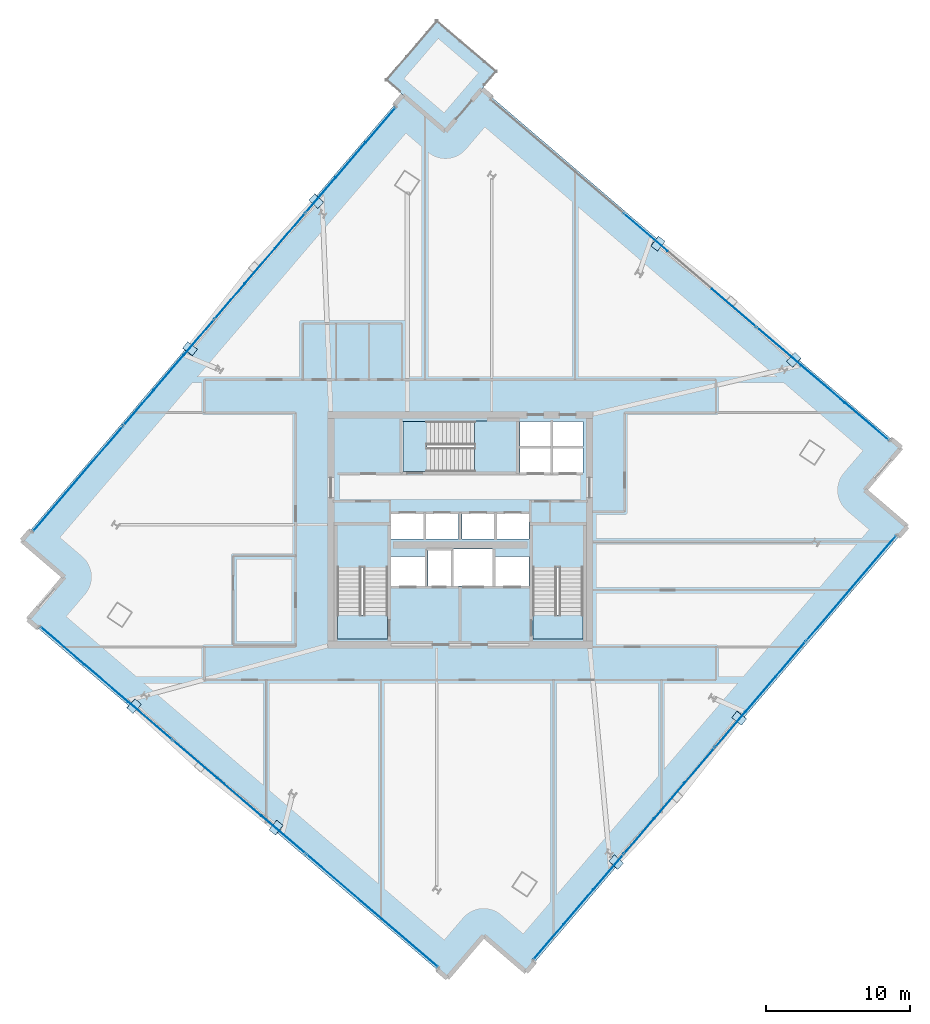
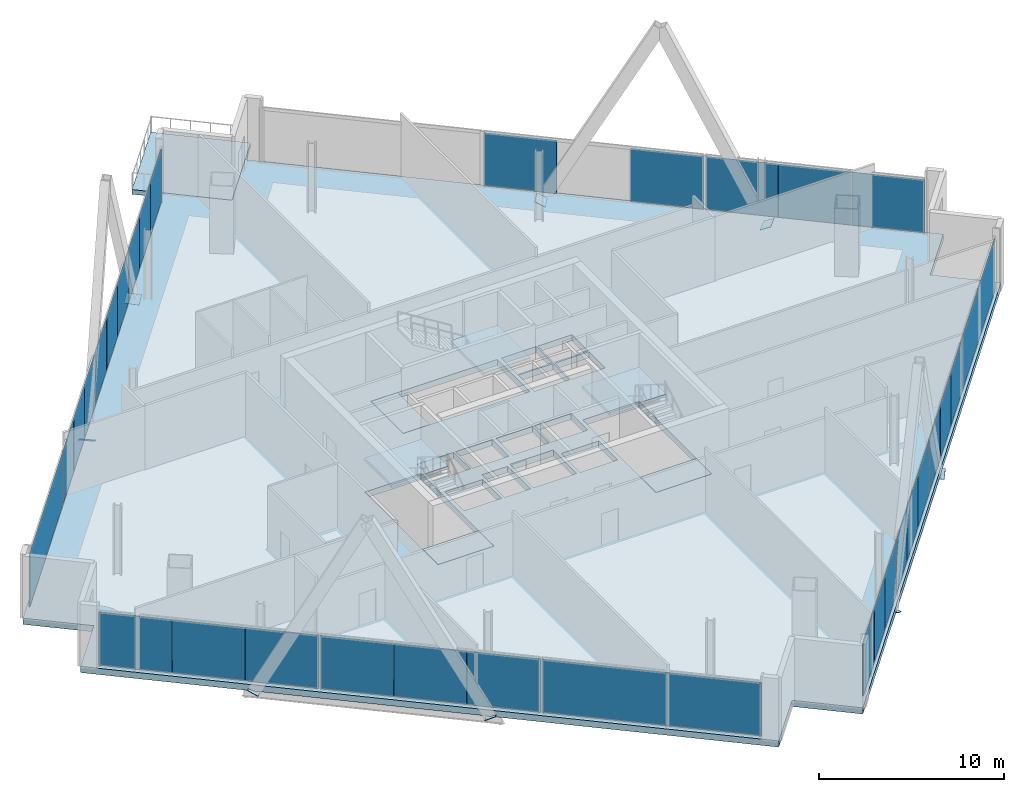
# One storey, part 17 of 26: 40 plates, 8 slabs, 7 elements without a shape of their own.
"""IFC4 building model written with IfcOpenShell, lengths in metres."""

import ifcopenshell
import ifcopenshell.guid

model = None  # the IFC model being written
_history = None  # IfcOwnerHistory: only IFC2X3 demands one
_inside = {}  # id of a spatial element -> (the spatial element, [elements in it])
_under = {}  # id of a project, library or spatial element -> (it, [spatial elements below it])
_declared = {}  # id of a project -> (the project, [libraries it declares])
_typed = {}  # id of a type object -> (the type object, [elements of that type])
_made_of = {}  # id of a material, layer set ... -> (it, [elements and type objects made of it])


def new_model(schema):
    """Start an empty IFC model of exactly this schema.

    Asked for "IFC4X3", IfcOpenShell would pick the latest addendum, in which some entities
    have other attributes; the version numbers below select the first issue.
    IFC2X3 requires an IfcOwnerHistory on every rooted entity: one is made here for all.
    """
    global model, _history
    if schema == "IFC4X3":
        model = ifcopenshell.file(schema_version=(4, 3, 0, 0))
    else:
        model = ifcopenshell.file(schema=schema)
    _inside.clear()
    _under.clear()
    _declared.clear()
    _typed.clear()
    _made_of.clear()
    _history = None
    if model.schema == "IFC2X3":
        org = make("IfcOrganization", Name="unknown")
        user = make(
            "IfcPersonAndOrganization",
            ThePerson=make("IfcPerson", FamilyName="unknown"),
            TheOrganization=org,
        )
        app = make(
            "IfcApplication",
            ApplicationDeveloper=org,
            Version="unknown",
            ApplicationFullName="unknown",
            ApplicationIdentifier="unknown",
        )
        _history = make(
            "IfcOwnerHistory",
            OwningUser=user,
            OwningApplication=app,
            ChangeAction="ADDED",
            CreationDate=0,
        )
    return model


def make(cls, **values):
    """One entity of the class cls with the attributes given. An attribute that is None is left unset."""
    return model.create_entity(
        cls, **{name: value for name, value in values.items() if value is not None}
    )


def rooted(cls, **values):
    """An entity with a GlobalId (a new one), such as an element, a storey or a relation."""
    return make(cls, GlobalId=ifcopenshell.guid.new(), OwnerHistory=_history, **values)


def si_unit(unit_type, name, prefix=None):
    """IfcSIUnit, for example si_unit("LENGTHUNIT", "METRE", prefix="MILLI")."""
    return make("IfcSIUnit", UnitType=unit_type, Prefix=prefix, Name=name)


def assignment(units):
    """IfcUnitAssignment: the units of a project."""
    return None if units is None else make("IfcUnitAssignment", Units=units)


def point(xyz):
    """IfcCartesianPoint."""
    return None if xyz is None else make("IfcCartesianPoint", Coordinates=xyz)


def direction(xyz):
    """IfcDirection."""
    return None if xyz is None else make("IfcDirection", DirectionRatios=xyz)


def frame(location, z_axis=None, x_axis=None):
    """IfcAxis2Placement3D, a coordinate frame: its origin and axes. An axis left out is left unset."""
    return make(
        "IfcAxis2Placement3D",
        Location=point(location),
        Axis=direction(z_axis),
        RefDirection=direction(x_axis),
    )


def frame_2d(location, x_axis=None):
    """IfcAxis2Placement2D, a coordinate frame in the plane: its origin and x axis."""
    return make(
        "IfcAxis2Placement2D", Location=point(location), RefDirection=direction(x_axis)
    )


def origin():
    """The frame at (0, 0, 0) with its axes left unset."""
    return frame((0.0, 0.0, 0.0))


def origin_2d():
    """The frame at (0, 0) in the plane with its x axis left unset."""
    return frame_2d((0.0, 0.0))


def place(relative_to, where):
    """IfcLocalPlacement: puts the frame where relative to a parent placement (None: the world)."""
    return make(
        "IfcLocalPlacement", PlacementRelTo=relative_to, RelativePlacement=where
    )


def context(
    kind, dimensions, precision=None, world=None, true_north=None, identifier=None
):
    """IfcGeometricRepresentationContext, for example the 3D "Model" context."""
    return make(
        "IfcGeometricRepresentationContext",
        ContextIdentifier=identifier,
        ContextType=kind,
        CoordinateSpaceDimension=dimensions,
        Precision=precision,
        WorldCoordinateSystem=world,
        TrueNorth=true_north,
    )


def subcontext(parent, identifier, kind, view, scale=None):
    """IfcGeometricRepresentationSubContext, for example "Body" below "Model"."""
    return make(
        "IfcGeometricRepresentationSubContext",
        ContextIdentifier=identifier,
        ContextType=kind,
        ParentContext=parent,
        TargetScale=scale,
        TargetView=view,
    )


def project(units=None, contexts=None):
    """IfcProject with its units and contexts."""
    return rooted(
        "IfcProject",
        Name="project",
        RepresentationContexts=contexts,
        UnitsInContext=assignment(units),
    )


def spatial(cls, under=None, at=None, **own):
    """A site, building, storey or space (cls), placed at a placement, below another one or the project."""
    s = rooted(cls, ObjectPlacement=at, **own)
    if under is not None:
        _under.setdefault(under.id(), (under, []))[1].append(s)
    return s


def polyline(points):
    """IfcPolyline through the points."""
    return make("IfcPolyline", Points=[point(p) for p in points])


def profile(cls, at=None, kind="AREA", **sizes):
    """A parametric profile (cls). Its sizes go by their IFC names, for example OverallWidth=200.0."""
    return make(cls, ProfileType=kind, Position=at, **sizes)


def rectangle(**sizes):
    """IfcRectangleProfileDef."""
    return profile("IfcRectangleProfileDef", **sizes)


def outline(outer, holes=None, kind="AREA"):
    """IfcArbitraryClosedProfileDef: a profile drawn as a closed curve; with holes, ...WithVoids."""
    if holes is None:
        return make("IfcArbitraryClosedProfileDef", ProfileType=kind, OuterCurve=outer)
    return make(
        "IfcArbitraryProfileDefWithVoids",
        ProfileType=kind,
        OuterCurve=outer,
        InnerCurves=holes,
    )


def extrude(swept, where, along, depth):
    """IfcExtrudedAreaSolid: the profile swept, set in the frame where, extruded along a direction by depth."""
    return make(
        "IfcExtrudedAreaSolid",
        SweptArea=swept,
        Position=where,
        ExtrudedDirection=direction(along),
        Depth=depth,
    )


def shape(context_of_items, identifier, shape_type, items):
    """IfcShapeRepresentation: the items that make up one representation, for example the "Body"."""
    return make(
        "IfcShapeRepresentation",
        ContextOfItems=context_of_items,
        RepresentationIdentifier=identifier,
        RepresentationType=shape_type,
        Items=items,
    )


def source(mapping_origin, context_of_items, identifier, shape_type, items):
    """IfcRepresentationMap: a shape defined once, which mapped items show again and again."""
    return make(
        "IfcRepresentationMap",
        MappingOrigin=mapping_origin,
        MappedRepresentation=shape(context_of_items, identifier, shape_type, items),
    )


def transform(
    local_origin,
    x_axis=None,
    y_axis=None,
    z_axis=None,
    scale=None,
    scale2=None,
    scale3=None,
    uniform=True,
):
    """IfcCartesianTransformationOperator3D, or its non-uniform kind. x_axis, y_axis, z_axis: its Axis1, 2, 3."""
    if uniform:
        return make(
            "IfcCartesianTransformationOperator3D",
            Axis1=direction(x_axis),
            Axis2=direction(y_axis),
            LocalOrigin=point(local_origin),
            Scale=scale,
            Axis3=direction(z_axis),
        )
    return make(
        "IfcCartesianTransformationOperator3DnonUniform",
        Axis1=direction(x_axis),
        Axis2=direction(y_axis),
        LocalOrigin=point(local_origin),
        Scale=scale,
        Axis3=direction(z_axis),
        Scale2=scale2,
        Scale3=scale3,
    )


def mapped(mapping_source, mapping_target):
    """IfcMappedItem: shows the shape of a source again, moved by a transform."""
    return make(
        "IfcMappedItem", MappingSource=mapping_source, MappingTarget=mapping_target
    )


def material(Name=None, Category=None):
    """IfcMaterial."""
    return make("IfcMaterial", Name=Name, Category=Category)


def layer(
    of_material, thickness, ventilated=None, Name=None, Category=None, Priority=None
):
    """IfcMaterialLayer: one layer of a wall or slab, of a material (None: an air gap)."""
    return make(
        "IfcMaterialLayer",
        Material=of_material,
        LayerThickness=thickness,
        IsVentilated=ventilated,
        Name=Name,
        Category=Category,
        Priority=Priority,
    )


def layer_set(layers, Name=None):
    """IfcMaterialLayerSet."""
    return make("IfcMaterialLayerSet", MaterialLayers=layers, LayerSetName=Name)


def made_of(thing, what):
    """Note that an element or type object is made of a material, layer set ...; save() writes the relation."""
    if what is not None:
        _made_of.setdefault(what.id(), (what, []))[1].append(thing)
    return thing


def type_object(cls, material=None, **own):
    """A type object (cls), such as IfcWallType, which elements share."""
    return made_of(rooted(cls, **own), material)


def element(
    cls,
    number,
    at=None,
    inside=None,
    cuts=None,
    type_object=None,
    material=None,
    context=None,
    identifier="Body",
    shape_type=None,
    held_by="IfcProductDefinitionShape",
    body=None,
    shapes=None,
    **own,
):
    """One element of the class cls, such as IfcWall. Its Tag is "e" and its number.

    at: its placement. inside: the storey or other place that contains it. cuts: it is an
    opening in that element (IfcRelVoidsElement). A single representation is given by context,
    identifier, shape_type and body (its items); several are given by shapes. held_by: the class
    of the entity that holds the representations. save() writes the other relations.
    """
    e = rooted(cls, Tag="e%d" % number, ObjectPlacement=at, **own)
    if body is not None:
        shapes = [shape(context, identifier, shape_type, body)]
    if shapes is not None:
        e.Representation = make(held_by, Representations=shapes)
    if inside is not None:
        _inside.setdefault(inside.id(), (inside, []))[1].append(e)
    if cuts is not None:
        rooted(
            "IfcRelVoidsElement", RelatingBuildingElement=cuts, RelatedOpeningElement=e
        )
    if type_object is not None:
        _typed.setdefault(type_object.id(), (type_object, []))[1].append(e)
    return made_of(e, material)


def aggregate(whole, parts):
    """IfcRelAggregates: a whole, such as a stair, and the parts it consists of."""
    return rooted("IfcRelAggregates", RelatingObject=whole, RelatedObjects=parts)


def save(model, path):
    """Write the relations noted so far, then the file.

    IfcRelAggregates (storeys below a building ...), IfcRelContainedInSpatialStructure (elements
    in a storey), IfcRelDefinesByType, IfcRelAssociatesMaterial and IfcRelDeclares: one each for
    every whole, place, type object, material and project.
    """
    for whole, parts in _under.values():
        aggregate(whole, parts)
    for where, things in _inside.values():
        rooted(
            "IfcRelContainedInSpatialStructure",
            RelatedElements=things,
            RelatingStructure=where,
        )
    for kind, things in _typed.values():
        rooted("IfcRelDefinesByType", RelatedObjects=things, RelatingType=kind)
    for what, things in _made_of.values():
        rooted("IfcRelAssociatesMaterial", RelatedObjects=things, RelatingMaterial=what)
    for by, libraries in _declared.values():
        rooted("IfcRelDeclares", RelatingContext=by, RelatedDefinitions=libraries)
    model.write(path)


model = new_model("IFC4")

# Units and contexts
model_context = context("Model", 3, precision=1e-05, world=origin(), true_north=direction((0.0, 1.0)))
body_context = subcontext(model_context, "Body", "Model", "MODEL_VIEW")
ifc_project = project(units=[si_unit("LENGTHUNIT", "METRE"), si_unit("AREAUNIT", "SQUARE_METRE"), si_unit("VOLUMEUNIT", "CUBIC_METRE"), si_unit("PLANEANGLEUNIT", "RADIAN"), si_unit("MASSUNIT", "GRAM", prefix="KILO")], contexts=[model_context])

# Site, building, storey
site_placement = place(None, origin())
site = spatial("IfcSite", under=ifc_project, at=site_placement, CompositionType="ELEMENT")
building_placement = place(site_placement, origin())
building = spatial("IfcBuilding", under=site, at=building_placement, Name="Haldenkirk Collegiate Tower", CompositionType="ELEMENT")
storey_placement = place(building_placement, frame((0.0, 0.0, 193.949951171875)))
storey = spatial("IfcBuildingStorey", under=building, at=storey_placement, Name="L48", CompositionType="ELEMENT", Elevation=193.949951171875)

# Slab
ifc_material_1 = material(Name="Concrete f'c 40 MPa", Category="concrete")
ifc_layer_1 = layer(ifc_material_1, 0.409912109375)
ifc_layer_set_1 = layer_set([ifc_layer_1], Name="Concrete f'c 40 MPa")
slab_type_1 = type_object("IfcSlabType", Name="SLB-FLR-410", PredefinedType="FLOOR", material=ifc_layer_set_1)
slab_1_placement = place(storey_placement, frame((0.0, 0.0, -0.409912109375)))
element("IfcSlab", 1, at=slab_1_placement, inside=storey, type_object=slab_type_1, Name="L48 composite structural floor slab", PredefinedType="FLOOR", context=body_context, shape_type="SweptSolid", body=[
    extrude(outline(polyline([(40.593994140625, -4.7783203125), (67.118408203125, 26.22314453125), (64.155029296875, 28.758544921875), (66.6904296875, 31.721923828125), (37.5126953125, 56.686279296875), (34.977294921875, 53.722900390625), (32.013916015625, 56.25830078125), (5.489501953125, 25.2568359375), (8.452880859375, 22.721435546875), (5.917236328125, 19.758056640625), (35.09521484375, -5.206298828125), (37.630615234375, -2.242919921875), (40.593994140625, -4.7783203125)]), holes=[polyline([(27.449951171875, 18.39990234375), (30.949951171875, 18.39990234375), (30.949951171875, 26.300048828125), (27.449951171875, 26.300048828125), (27.449951171875, 18.39990234375)]), polyline([(41.050048828125, 18.39990234375), (44.550048828125, 18.39990234375), (44.550048828125, 26.300048828125), (41.050048828125, 26.300048828125), (41.050048828125, 18.39990234375)]), polyline([(32.0, 30.050048828125), (39.89990234375, 30.050048828125), (39.89990234375, 33.550048828125), (32.0, 33.550048828125), (32.0, 30.050048828125)]), polyline([(33.75, 22.10009765625), (35.35009765625, 22.10009765625), (35.35009765625, 24.550048828125), (33.75, 24.550048828125), (33.75, 22.10009765625)]), polyline([(40.14990234375, 29.949951171875), (42.320068359375, 29.949951171875), (42.320068359375, 31.699951171875), (40.14990234375, 31.699951171875), (40.14990234375, 29.949951171875)]), polyline([(42.419921875, 29.949951171875), (44.550048828125, 29.949951171875), (44.550048828125, 31.699951171875), (42.419921875, 31.699951171875), (42.419921875, 29.949951171875)]), polyline([(40.14990234375, 31.800048828125), (42.320068359375, 31.800048828125), (42.320068359375, 33.550048828125), (40.14990234375, 33.550048828125), (40.14990234375, 31.800048828125)]), polyline([(42.419921875, 31.800048828125), (44.550048828125, 31.800048828125), (44.550048828125, 33.550048828125), (42.419921875, 33.550048828125), (42.419921875, 31.800048828125)]), polyline([(31.199951171875, 25.35009765625), (33.47998046875, 25.35009765625), (33.47998046875, 27.14990234375), (31.199951171875, 27.14990234375), (31.199951171875, 25.35009765625)]), polyline([(33.60009765625, 25.35009765625), (35.8798828125, 25.35009765625), (35.8798828125, 27.14990234375), (33.60009765625, 27.14990234375), (33.60009765625, 25.35009765625)]), polyline([(36.1201171875, 25.35009765625), (38.39990234375, 25.35009765625), (38.39990234375, 27.14990234375), (36.1201171875, 27.14990234375), (36.1201171875, 25.35009765625)]), polyline([(38.52001953125, 25.35009765625), (40.800048828125, 25.35009765625), (40.800048828125, 27.14990234375), (38.52001953125, 27.14990234375), (38.52001953125, 25.35009765625)]), polyline([(31.199951171875, 22.10009765625), (33.550048828125, 22.10009765625), (33.550048828125, 24.14990234375), (31.199951171875, 24.14990234375), (31.199951171875, 22.10009765625)]), polyline([(38.449951171875, 22.10009765625), (40.800048828125, 22.10009765625), (40.800048828125, 24.14990234375), (38.449951171875, 24.14990234375), (38.449951171875, 22.10009765625)]), polyline([(35.550048828125, 22.10009765625), (38.25, 22.10009765625), (38.25, 24.64990234375), (35.550048828125, 24.64990234375), (35.550048828125, 22.10009765625)])]), origin(), (0.0, 0.0, 1.0), 0.409912109375),
])

# Stair, slab
stair_type = type_object("IfcStairType", Name="STR-DOGLEG-1650", PredefinedType="HALF_TURN_STAIR", material=ifc_material_1)
stair_1_placement = place(storey_placement, origin())
stair_1 = element("IfcStair", 2, at=stair_1_placement, inside=storey, type_object=stair_type, Name="L48 Core Exit Stair ST-1", PredefinedType="HALF_TURN_STAIR")
ifc_layer_2 = layer(ifc_material_1, 0.199951171875)
ifc_layer_set_2 = layer_set([ifc_layer_2], Name="Concrete f'c 40 MPa")
slab_type_2 = type_object("IfcSlabType", Name="SLB-LANDING-200", PredefinedType="LANDING", material=ifc_layer_set_2)
slab_2_placement = place(storey_placement, frame((0.0, 0.0, 2.050048828125)))
slab_2 = element("IfcSlab", 3, at=slab_2_placement, type_object=slab_type_2, Name="ST-1 landing 1", PredefinedType="LANDING", context=body_context, shape_type="SweptSolid", body=[
    extrude(outline(polyline([(30.97509765625, 23.385009765625), (27.425048828125, 23.385009765625), (27.425048828125, 26.324951171875), (30.97509765625, 26.324951171875), (30.97509765625, 23.385009765625)])), origin(), (0.0, 0.0, 1.0), 0.199951171875),
])
aggregate(stair_1, [slab_2])

stair_2_placement = place(storey_placement, origin())
stair_2 = element("IfcStair", 4, at=stair_2_placement, inside=storey, type_object=stair_type, Name="L48 Core Exit Stair ST-2", PredefinedType="HALF_TURN_STAIR")
slab_3_placement = place(storey_placement, frame((0.0, 0.0, 2.050048828125)))
slab_3 = element("IfcSlab", 5, at=slab_3_placement, type_object=slab_type_2, Name="ST-2 landing 1", PredefinedType="LANDING", context=body_context, shape_type="SweptSolid", body=[
    extrude(outline(polyline([(44.574951171875, 23.385009765625), (41.02490234375, 23.385009765625), (41.02490234375, 26.324951171875), (44.574951171875, 26.324951171875), (44.574951171875, 23.385009765625)])), origin(), (0.0, 0.0, 1.0), 0.199951171875),
])
aggregate(stair_2, [slab_3])

stair_3_placement = place(storey_placement, origin())
stair_3 = element("IfcStair", 6, at=stair_3_placement, inside=storey, type_object=stair_type, Name="L48 Core Exit Stair ST-3", PredefinedType="HALF_TURN_STAIR")
slab_4_placement = place(storey_placement, frame((0.0, 0.0, 2.050048828125)))
slab_4 = element("IfcSlab", 7, at=slab_4_placement, type_object=slab_type_2, Name="ST-3 landing 1", PredefinedType="LANDING", context=body_context, shape_type="SweptSolid", body=[
    extrude(outline(polyline([(36.985107421875, 30.02490234375), (36.985107421875, 33.574951171875), (39.925048828125, 33.574951171875), (39.925048828125, 30.02490234375), (36.985107421875, 30.02490234375)])), origin(), (0.0, 0.0, 1.0), 0.199951171875),
])
aggregate(stair_3, [slab_4])

# Slabs
ifc_layer_3 = layer(ifc_material_1, 0.31005859375)
ifc_layer_set_3 = layer_set([ifc_layer_3], Name="Concrete f'c 40 MPa")
slab_type_3 = type_object("IfcSlabType", Name="SLB-SKYGARDEN-310", PredefinedType="ROOF", material=ifc_layer_set_3)
slab_5_placement = place(storey_placement, frame((0.0, 0.0, -0.31005859375)))
element("IfcSlab", 8, at=slab_5_placement, inside=storey, type_object=slab_type_3, Name="L48 sky-garden planted terrace slab", PredefinedType="ROOF", context=body_context, shape_type="SweptSolid", body=[
    extrude(outline(polyline([(34.977294921875, 53.722900390625), (38.552978515625, 57.90185546875), (34.373779296875, 61.4775390625), (30.798095703125, 57.29833984375), (34.977294921875, 53.722900390625)])), origin(), (0.0, 0.0, 1.0), 0.31005859375),
])
ifc_layer_4 = layer(ifc_material_1, 0.25)
ifc_layer_set_4 = layer_set([ifc_layer_4], Name="Concrete f'c 40 MPa")
slab_type_4 = type_object("IfcSlabType", Name="SLB-STAIRLAND-250", PredefinedType="LANDING", material=ifc_layer_set_4)
slab_6_placement = place(storey_placement, frame((0.0, 0.0, -0.25)))
element("IfcSlab", 9, at=slab_6_placement, inside=storey, type_object=slab_type_4, Name="L48 stair ST1 structural floor landing slab", PredefinedType="LANDING", context=body_context, shape_type="SweptSolid", body=[
    extrude(outline(polyline([(27.4599609375, 18.409912109375), (30.93994140625, 18.409912109375), (30.93994140625, 20.080078125), (27.4599609375, 20.080078125), (27.4599609375, 18.409912109375)])), origin(), (0.0, 0.0, 1.0), 0.25),
])
slab_7_placement = place(storey_placement, frame((0.0, 0.0, -0.25)))
element("IfcSlab", 10, at=slab_7_placement, inside=storey, type_object=slab_type_4, Name="L48 stair ST2 structural floor landing slab", PredefinedType="LANDING", context=body_context, shape_type="SweptSolid", body=[
    extrude(outline(polyline([(41.06005859375, 18.409912109375), (44.5400390625, 18.409912109375), (44.5400390625, 20.080078125), (41.06005859375, 20.080078125), (41.06005859375, 18.409912109375)])), origin(), (0.0, 0.0, 1.0), 0.25),
])
slab_8_placement = place(storey_placement, frame((0.0, 0.0, -0.25)))
element("IfcSlab", 11, at=slab_8_placement, inside=storey, type_object=slab_type_4, Name="L48 stair ST3 structural floor landing slab", PredefinedType="LANDING", context=body_context, shape_type="SweptSolid", body=[
    extrude(outline(polyline([(32.010009765625, 30.06005859375), (33.679931640625, 30.06005859375), (33.679931640625, 33.5400390625), (32.010009765625, 33.5400390625), (32.010009765625, 30.06005859375)])), origin(), (0.0, 0.0, 1.0), 0.25),
])

# Plates
ifc_material_2 = material(Name="Steel ASTM A572 Grade 50", Category="steel")
ifc_layer_5 = layer(ifc_material_2, 0.034912109375)
ifc_layer_set_5 = layer_set([ifc_layer_5], Name="Steel ASTM A572 Grade 50")
plate_type_1 = type_object("IfcPlateType", Name="PLT-CAP-EXT-760X600", PredefinedType="USERDEFINED", material=ifc_layer_set_5)
shared_shape_1 = source(origin(), body_context, "Body", "SweptSolid", [
    extrude(rectangle(XDim=0.860107421875, YDim=0.659912109375, at=origin_2d()), origin(), (0.0, 0.0, 1.0), 0.034912109375),
])
for number, where, z_axis, x_axis, name in (
    (12, (46.8544921875, 2.87744140625, -0.417236328125), (-0.312555935914, -0.331139932103, -0.89031181745), (0.727218700168, -0.686405829029, -1.59298e-07), "Perimeter Mega Brace Z4 L48-L50 SL end cap plate 1"),
    (13, (55.416259765625, 12.88427734375, -0.41748046875), (0.30759798544, 0.392778981408, -0.866664958976), (-0.787304204294, 0.616564749155, 5.61896e-07), "Perimeter Mega Brace Z4 L48-L50 SR end cap plate 1"),
    (14, (59.2099609375, 37.832763671875, -0.417236328125), (0.319786048935, -0.301466046131, -0.898251137454), (0.685956170145, 0.72764286064, -4.48427e-07), "Perimeter Mega Brace Z4 L48-L50 EL end cap plate 1"),
    (15, (49.7666015625, 45.912353515625, -0.41748046875), (-0.372441924206, 0.291322940714, -0.881145820683), (-0.616106825899, -0.787662604851, -1.9813e-07), "Perimeter Mega Brace Z4 L48-L50 ER end cap plate 1"),
    (16, (25.981689453125, 48.86962890625, -0.41748046875), (0.317403962572, 0.335494960438, -0.886959895409), (-0.726420226591, 0.687250794397, 5.85895e-07), "Perimeter Mega Brace Z4 L48-L50 NL end cap plate 1"),
    (17, (17.200927734375, 38.606689453125, -0.41748046875), (-0.314802097119, -0.402335124123, -0.859666265214), (0.7875701826, -0.616224964991, 2.35751e-07), "Perimeter Mega Brace Z4 L48-L50 NR end cap plate 1"),
    (18, (13.305419921875, 13.726318359375, -0.417236328125), (-0.335975982037, 0.309382983459, -0.889607952438), (-0.677394692002, -0.735619759962, 1.24598e-07), "Perimeter Mega Brace Z4 L48-L50 WL end cap plate 1"),
    (19, (23.1826171875, 5.275634765625, -0.41748046875), (0.381228004045, -0.304665003233, -0.872837009262), (0.624299032989, 0.781185456475, 4.63605e-07), "Perimeter Mega Brace Z4 L48-L50 WR end cap plate 1"),
):
    element("IfcPlate", number, at=place(storey_placement, frame(where, z_axis=z_axis, x_axis=x_axis)), inside=storey, type_object=plate_type_1, Name=name, ObjectType="END CAP PLATE", PredefinedType="USERDEFINED", context=body_context, shape_type="MappedRepresentation", body=[
        mapped(shared_shape_1, transform((0.0, 0.0, 0.0), x_axis=(1.0, 0.0, 0.0), y_axis=(0.0, 1.0, 0.0), z_axis=(0.0, 0.0, 1.0), scale=1.0)),
    ])

# Curtain wall, plate
ifc_material_3 = material(Name="Anodised architectural bronze aluminium", Category="aluminium")
curtain_wall_type = type_object("IfcCurtainWallType", Name="CW-SYS4-SKYGARDEN", PredefinedType="USERDEFINED", material=ifc_material_3)
curtain_wall_1_placement = place(storey_placement, origin())
curtain_wall_1 = element("IfcCurtainWall", 20, at=curtain_wall_1_placement, inside=storey, type_object=curtain_wall_type, Name="L48 Sky-garden tall bronze curtain wall", ObjectType="UNITISED CURTAIN WALL", PredefinedType="USERDEFINED")
ifc_material_4 = material(Name="Low-E argon triple insulating glass", Category="glass")
ifc_layer_6 = layer(ifc_material_4, 0.0458984375)
ifc_layer_set_6 = layer_set([ifc_layer_6], Name="Low-E argon triple insulating glass")
plate_type_2 = type_object("IfcPlateType", Name="CW-PNL-04", PredefinedType="CURTAIN_PANEL", material=ifc_layer_set_6)
shared_shape_2 = source(origin(), body_context, "Body", "SweptSolid", [
    extrude(rectangle(XDim=9.614990234375, YDim=0.0458984375, at=origin_2d()), origin(), (0.0, 0.0, 1.0), 3.498046875),
])
plate_1_placement = place(storey_placement, frame((63.212646484375, 21.934814453125, 0.090087890625), z_axis=(0.0, 0.0, 1.0), x_axis=(-0.650113707779, -0.759836934452, 0.0)))
plate_1 = element("IfcPlate", 21, at=plate_1_placement, type_object=plate_type_2, Name="CW-04 panel 1.1", PredefinedType="CURTAIN_PANEL", context=body_context, shape_type="MappedRepresentation", body=[
    mapped(shared_shape_2, transform((0.0, 0.0, 0.0), x_axis=(1.0, 0.0, 0.0), y_axis=(0.0, 1.0, 0.0), z_axis=(0.0, 0.0, 1.0), scale=1.0)),
])

curtain_wall_2_placement = place(storey_placement, origin())
curtain_wall_2 = element("IfcCurtainWall", 22, at=curtain_wall_2_placement, inside=storey, type_object=curtain_wall_type, Name="L48 Sky-garden tall bronze curtain wall", ObjectType="UNITISED CURTAIN WALL", PredefinedType="USERDEFINED")
plate_2_placement = place(storey_placement, frame((9.395263671875, 29.544921875, 0.090087890625), z_axis=(0.0, 0.0, 1.0), x_axis=(0.650112227379, 0.759838201075, 0.0)))
plate_2 = element("IfcPlate", 23, at=plate_2_placement, type_object=plate_type_2, Name="CW-04 panel 1.1", PredefinedType="CURTAIN_PANEL", context=body_context, shape_type="MappedRepresentation", body=[
    mapped(shared_shape_2, transform((0.0, 0.0, 0.0), x_axis=(1.0, 0.0, 0.0), y_axis=(0.0, 1.0, 0.0), z_axis=(0.0, 0.0, 1.0), scale=1.0)),
])

# Plate
shared_shape_3 = source(origin(), body_context, "Body", "SweptSolid", [
    extrude(rectangle(XDim=3.20751953125, YDim=0.0458984375, at=origin_2d()), origin(), (0.0, 0.0, 1.0), 3.498046875),
])
plate_3_placement = place(storey_placement, frame((58.986083984375, 16.9951171875, 0.090087890625), z_axis=(0.0, 0.0, 1.0), x_axis=(-0.650113707779, -0.759836934452, 0.0)))
plate_3 = element("IfcPlate", 24, at=plate_3_placement, type_object=plate_type_2, Name="CW-04 panel 2.1a", PredefinedType="CURTAIN_PANEL", context=body_context, shape_type="MappedRepresentation", body=[
    mapped(shared_shape_3, transform((0.0, 0.0, 0.0), x_axis=(1.0, 0.0, 0.0), y_axis=(0.0, 1.0, 0.0), z_axis=(0.0, 0.0, 1.0), scale=1.0)),
])

ifc_material_5 = material(Name="Bronze-anodised insulated aluminium spandrel panel", Category="aluminium")
ifc_layer_7 = layer(ifc_material_5, 0.0458984375)
ifc_layer_set_7 = layer_set([ifc_layer_7], Name="Bronze-anodised insulated aluminium spandrel panel")
plate_type_3 = type_object("IfcPlateType", Name="CW-SPD-04", PredefinedType="CURTAIN_PANEL", material=ifc_layer_set_7)
plate_4_placement = place(storey_placement, frame((54.791259765625, 12.09228515625, 0.090087890625), z_axis=(0.0, 0.0, 1.0), x_axis=(-0.650113707779, -0.759836934452, 0.0)))
plate_4 = element("IfcPlate", 25, at=plate_4_placement, type_object=plate_type_3, Name="CW-04 spandrel panel 2.1c", PredefinedType="CURTAIN_PANEL", context=body_context, shape_type="MappedRepresentation", body=[
    mapped(shared_shape_3, transform((0.0, 0.0, 0.0), x_axis=(1.0, 0.0, 0.0), y_axis=(0.0, 1.0, 0.0), z_axis=(0.0, 0.0, 1.0), scale=1.0)),
])

plate_5_placement = place(storey_placement, frame((52.6474609375, 9.586669921875, 0.090087890625), z_axis=(0.0, 0.0, 1.0), x_axis=(-0.650113707779, -0.759836934452, 0.0)))
plate_5 = element("IfcPlate", 26, at=plate_5_placement, type_object=plate_type_3, Name="CW-04 spandrel panel 3.1a", PredefinedType="CURTAIN_PANEL", context=body_context, shape_type="MappedRepresentation", body=[
    mapped(shared_shape_3, transform((0.0, 0.0, 0.0), x_axis=(1.0, 0.0, 0.0), y_axis=(0.0, 1.0, 0.0), z_axis=(0.0, 0.0, 1.0), scale=1.0)),
])

plate_6_placement = place(storey_placement, frame((48.45263671875, 4.683837890625, 0.090087890625), z_axis=(0.0, 0.0, 1.0), x_axis=(-0.650113707779, -0.759836934452, 0.0)))
plate_6 = element("IfcPlate", 27, at=plate_6_placement, type_object=plate_type_3, Name="CW-04 spandrel panel 3.1c", PredefinedType="CURTAIN_PANEL", context=body_context, shape_type="MappedRepresentation", body=[
    mapped(shared_shape_3, transform((0.0, 0.0, 0.0), x_axis=(1.0, 0.0, 0.0), y_axis=(0.0, 1.0, 0.0), z_axis=(0.0, 0.0, 1.0), scale=1.0)),
])

plate_7_placement = place(storey_placement, frame((13.62158203125, 34.48486328125, 0.090087890625), z_axis=(0.0, 0.0, 1.0), x_axis=(0.650112227379, 0.759838201075, 0.0)))
plate_7 = element("IfcPlate", 28, at=plate_7_placement, type_object=plate_type_2, Name="CW-04 panel 2.1a", PredefinedType="CURTAIN_PANEL", context=body_context, shape_type="MappedRepresentation", body=[
    mapped(shared_shape_3, transform((0.0, 0.0, 0.0), x_axis=(1.0, 0.0, 0.0), y_axis=(0.0, 1.0, 0.0), z_axis=(0.0, 0.0, 1.0), scale=1.0)),
])

plate_8_placement = place(storey_placement, frame((17.816650390625, 39.3876953125, 0.090087890625), z_axis=(0.0, 0.0, 1.0), x_axis=(0.650112227379, 0.759838201075, 0.0)))
plate_8 = element("IfcPlate", 29, at=plate_8_placement, type_object=plate_type_3, Name="CW-04 spandrel panel 2.1c", PredefinedType="CURTAIN_PANEL", context=body_context, shape_type="MappedRepresentation", body=[
    mapped(shared_shape_3, transform((0.0, 0.0, 0.0), x_axis=(1.0, 0.0, 0.0), y_axis=(0.0, 1.0, 0.0), z_axis=(0.0, 0.0, 1.0), scale=1.0)),
])

plate_9_placement = place(storey_placement, frame((19.960205078125, 41.893310546875, 0.090087890625), z_axis=(0.0, 0.0, 1.0), x_axis=(0.650112227379, 0.759838201075, 0.0)))
plate_9 = element("IfcPlate", 30, at=plate_9_placement, type_object=plate_type_3, Name="CW-04 spandrel panel 3.1a", PredefinedType="CURTAIN_PANEL", context=body_context, shape_type="MappedRepresentation", body=[
    mapped(shared_shape_3, transform((0.0, 0.0, 0.0), x_axis=(1.0, 0.0, 0.0), y_axis=(0.0, 1.0, 0.0), z_axis=(0.0, 0.0, 1.0), scale=1.0)),
])

plate_10_placement = place(storey_placement, frame((24.1552734375, 46.796142578125, 0.090087890625), z_axis=(0.0, 0.0, 1.0), x_axis=(0.650112227379, 0.759838201075, 0.0)))
plate_10 = element("IfcPlate", 31, at=plate_10_placement, type_object=plate_type_3, Name="CW-04 spandrel panel 3.1c", PredefinedType="CURTAIN_PANEL", context=body_context, shape_type="MappedRepresentation", body=[
    mapped(shared_shape_3, transform((0.0, 0.0, 0.0), x_axis=(1.0, 0.0, 0.0), y_axis=(0.0, 1.0, 0.0), z_axis=(0.0, 0.0, 1.0), scale=1.0)),
])

shared_shape_4 = source(origin(), body_context, "Body", "SweptSolid", [
    extrude(rectangle(XDim=3.195068359375, YDim=0.0458984375, at=origin_2d()), origin(), (0.0, 0.0, 1.0), 3.498046875),
])
plate_11_placement = place(storey_placement, frame((56.888671875, 14.543701171875, 0.090087890625), z_axis=(0.0, 0.0, 1.0), x_axis=(-0.650113707779, -0.759836934452, 0.0)))
plate_11 = element("IfcPlate", 32, at=plate_11_placement, type_object=plate_type_2, Name="CW-04 panel 2.1b", PredefinedType="CURTAIN_PANEL", context=body_context, shape_type="MappedRepresentation", body=[
    mapped(shared_shape_4, transform((0.0, 0.0, 0.0), x_axis=(1.0, 0.0, 0.0), y_axis=(0.0, 1.0, 0.0), z_axis=(0.0, 0.0, 1.0), scale=1.0)),
])

plate_12_placement = place(storey_placement, frame((50.550048828125, 7.13525390625, 0.090087890625), z_axis=(0.0, 0.0, 1.0), x_axis=(-0.650113707779, -0.759836934452, 0.0)))
plate_12 = element("IfcPlate", 33, at=plate_12_placement, type_object=plate_type_2, Name="CW-04 panel 3.1b", PredefinedType="CURTAIN_PANEL", context=body_context, shape_type="MappedRepresentation", body=[
    mapped(shared_shape_4, transform((0.0, 0.0, 0.0), x_axis=(1.0, 0.0, 0.0), y_axis=(0.0, 1.0, 0.0), z_axis=(0.0, 0.0, 1.0), scale=1.0)),
])

plate_13_placement = place(storey_placement, frame((15.71923828125, 36.936279296875, 0.090087890625), z_axis=(0.0, 0.0, 1.0), x_axis=(0.650112227379, 0.759838201075, 0.0)))
plate_13 = element("IfcPlate", 34, at=plate_13_placement, type_object=plate_type_2, Name="CW-04 panel 2.1b", PredefinedType="CURTAIN_PANEL", context=body_context, shape_type="MappedRepresentation", body=[
    mapped(shared_shape_4, transform((0.0, 0.0, 0.0), x_axis=(1.0, 0.0, 0.0), y_axis=(0.0, 1.0, 0.0), z_axis=(0.0, 0.0, 1.0), scale=1.0)),
])

plate_14_placement = place(storey_placement, frame((22.0576171875, 44.3447265625, 0.090087890625), z_axis=(0.0, 0.0, 1.0), x_axis=(0.650112227379, 0.759838201075, 0.0)))
plate_14 = element("IfcPlate", 35, at=plate_14_placement, type_object=plate_type_2, Name="CW-04 panel 3.1b", PredefinedType="CURTAIN_PANEL", context=body_context, shape_type="MappedRepresentation", body=[
    mapped(shared_shape_4, transform((0.0, 0.0, 0.0), x_axis=(1.0, 0.0, 0.0), y_axis=(0.0, 1.0, 0.0), z_axis=(0.0, 0.0, 1.0), scale=1.0)),
])

shared_shape_5 = source(origin(), body_context, "Body", "SweptSolid", [
    extrude(rectangle(XDim=3.1923828125, YDim=0.0458984375, at=origin_2d()), origin(), (0.0, 0.0, 1.0), 3.498046875),
])
plate_15_placement = place(storey_placement, frame((46.313720703125, 2.183837890625, 0.090087890625), z_axis=(0.0, 0.0, 1.0), x_axis=(-0.650113707779, -0.759836934452, 0.0)))
plate_15 = element("IfcPlate", 36, at=plate_15_placement, type_object=plate_type_3, Name="CW-04 spandrel panel 4.1a", PredefinedType="CURTAIN_PANEL", context=body_context, shape_type="MappedRepresentation", body=[
    mapped(shared_shape_5, transform((0.0, 0.0, 0.0), x_axis=(1.0, 0.0, 0.0), y_axis=(0.0, 1.0, 0.0), z_axis=(0.0, 0.0, 1.0), scale=1.0)),
])

plate_16_placement = place(storey_placement, frame((42.138427734375, -2.696044921875, 0.090087890625), z_axis=(0.0, 0.0, 1.0), x_axis=(-0.650113707779, -0.759836934452, 0.0)))
plate_16 = element("IfcPlate", 37, at=plate_16_placement, type_object=plate_type_2, Name="CW-04 panel 4.1c", PredefinedType="CURTAIN_PANEL", context=body_context, shape_type="MappedRepresentation", body=[
    mapped(shared_shape_5, transform((0.0, 0.0, 0.0), x_axis=(1.0, 0.0, 0.0), y_axis=(0.0, 1.0, 0.0), z_axis=(0.0, 0.0, 1.0), scale=1.0)),
])

plate_17_placement = place(storey_placement, frame((26.2939453125, 49.2958984375, 0.090087890625), z_axis=(0.0, 0.0, 1.0), x_axis=(0.650112227379, 0.759838201075, 0.0)))
plate_17 = element("IfcPlate", 38, at=plate_17_placement, type_object=plate_type_3, Name="CW-04 spandrel panel 4.1a", PredefinedType="CURTAIN_PANEL", context=body_context, shape_type="MappedRepresentation", body=[
    mapped(shared_shape_5, transform((0.0, 0.0, 0.0), x_axis=(1.0, 0.0, 0.0), y_axis=(0.0, 1.0, 0.0), z_axis=(0.0, 0.0, 1.0), scale=1.0)),
])

plate_18_placement = place(storey_placement, frame((30.469482421875, 54.176025390625, 0.090087890625), z_axis=(0.0, 0.0, 1.0), x_axis=(0.650112227379, 0.759838201075, 0.0)))
plate_18 = element("IfcPlate", 39, at=plate_18_placement, type_object=plate_type_2, Name="CW-04 panel 4.1c", PredefinedType="CURTAIN_PANEL", context=body_context, shape_type="MappedRepresentation", body=[
    mapped(shared_shape_5, transform((0.0, 0.0, 0.0), x_axis=(1.0, 0.0, 0.0), y_axis=(0.0, 1.0, 0.0), z_axis=(0.0, 0.0, 1.0), scale=1.0)),
])

shared_shape_6 = source(origin(), body_context, "Body", "SweptSolid", [
    extrude(rectangle(XDim=3.179931640625, YDim=0.0458984375, at=origin_2d()), origin(), (0.0, 0.0, 1.0), 3.498046875),
])
plate_19_placement = place(storey_placement, frame((44.22607421875, -0.256103515625, 0.090087890625), z_axis=(0.0, 0.0, 1.0), x_axis=(-0.650113707779, -0.759836934452, 0.0)))
plate_19 = element("IfcPlate", 40, at=plate_19_placement, type_object=plate_type_2, Name="CW-04 panel 4.1b", PredefinedType="CURTAIN_PANEL", context=body_context, shape_type="MappedRepresentation", body=[
    mapped(shared_shape_6, transform((0.0, 0.0, 0.0), x_axis=(1.0, 0.0, 0.0), y_axis=(0.0, 1.0, 0.0), z_axis=(0.0, 0.0, 1.0), scale=1.0)),
])

aggregate(curtain_wall_1, [plate_1, plate_3, plate_11, plate_4, plate_5, plate_12, plate_6, plate_15, plate_19, plate_16])

plate_20_placement = place(storey_placement, frame((28.381591796875, 51.736083984375, 0.090087890625), z_axis=(0.0, 0.0, 1.0), x_axis=(0.650112227379, 0.759838201075, 0.0)))
plate_20 = element("IfcPlate", 41, at=plate_20_placement, type_object=plate_type_2, Name="CW-04 panel 4.1b", PredefinedType="CURTAIN_PANEL", context=body_context, shape_type="MappedRepresentation", body=[
    mapped(shared_shape_6, transform((0.0, 0.0, 0.0), x_axis=(1.0, 0.0, 0.0), y_axis=(0.0, 1.0, 0.0), z_axis=(0.0, 0.0, 1.0), scale=1.0)),
])

aggregate(curtain_wall_2, [plate_2, plate_7, plate_13, plate_8, plate_9, plate_14, plate_10, plate_17, plate_20, plate_18])

# Curtain wall, plate
curtain_wall_3_placement = place(storey_placement, origin())
curtain_wall_3 = element("IfcCurtainWall", 42, at=curtain_wall_3_placement, inside=storey, type_object=curtain_wall_type, Name="L48 Sky-garden tall bronze curtain wall", ObjectType="UNITISED CURTAIN WALL", PredefinedType="USERDEFINED")
shared_shape_7 = source(origin(), body_context, "Body", "SweptSolid", [
    extrude(rectangle(XDim=12.06494140625, YDim=0.0458984375, at=origin_2d()), origin(), (0.0, 0.0, 1.0), 3.498046875),
])
plate_21_placement = place(storey_placement, frame((29.876220703125, -0.504150390625, 0.090087890625), z_axis=(0.0, 0.0, 1.0), x_axis=(-0.759837400038, 0.650113163613, 0.0)))
plate_21 = element("IfcPlate", 43, at=plate_21_placement, type_object=plate_type_2, Name="CW-04 panel 1.1", PredefinedType="CURTAIN_PANEL", context=body_context, shape_type="MappedRepresentation", body=[
    mapped(shared_shape_7, transform((0.0, 0.0, 0.0), x_axis=(1.0, 0.0, 0.0), y_axis=(0.0, 1.0, 0.0), z_axis=(0.0, 0.0, 1.0), scale=1.0)),
])

# Curtain wall, plates
curtain_wall_4_placement = place(storey_placement, origin())
curtain_wall_4 = element("IfcCurtainWall", 44, at=curtain_wall_4_placement, inside=storey, type_object=curtain_wall_type, Name="L48 Sky-garden tall bronze curtain wall", ObjectType="UNITISED CURTAIN WALL", PredefinedType="USERDEFINED")
shared_shape_8 = source(origin(), body_context, "Body", "SweptSolid", [
    extrude(rectangle(XDim=4.024169921875, YDim=0.0458984375, at=origin_2d()), origin(), (0.0, 0.0, 1.0), 3.498046875),
])
plate_22_placement = place(storey_placement, frame((48.91259765625, 46.695556640625, 0.090087890625), z_axis=(0.0, 0.0, 1.0), x_axis=(0.759837400038, -0.650113163613, 0.0)))
plate_22 = element("IfcPlate", 45, at=plate_22_placement, type_object=plate_type_3, Name="CW-04 spandrel panel 2.1a", PredefinedType="CURTAIN_PANEL", context=body_context, shape_type="MappedRepresentation", body=[
    mapped(shared_shape_8, transform((0.0, 0.0, 0.0), x_axis=(1.0, 0.0, 0.0), y_axis=(0.0, 1.0, 0.0), z_axis=(0.0, 0.0, 1.0), scale=1.0)),
])
plate_23_placement = place(storey_placement, frame((55.056640625, 41.43896484375, 0.090087890625), z_axis=(0.0, 0.0, 1.0), x_axis=(0.759837400038, -0.650113163613, 0.0)))
plate_23 = element("IfcPlate", 46, at=plate_23_placement, type_object=plate_type_2, Name="CW-04 panel 2.1c", PredefinedType="CURTAIN_PANEL", context=body_context, shape_type="MappedRepresentation", body=[
    mapped(shared_shape_8, transform((0.0, 0.0, 0.0), x_axis=(1.0, 0.0, 0.0), y_axis=(0.0, 1.0, 0.0), z_axis=(0.0, 0.0, 1.0), scale=1.0)),
])

# Plate
plate_24_placement = place(storey_placement, frame((23.6953125, 4.7841796875, 0.090087890625), z_axis=(0.0, 0.0, 1.0), x_axis=(-0.759837400038, 0.650113163613, 0.0)))
plate_24 = element("IfcPlate", 47, at=plate_24_placement, type_object=plate_type_3, Name="CW-04 spandrel panel 2.1a", PredefinedType="CURTAIN_PANEL", context=body_context, shape_type="MappedRepresentation", body=[
    mapped(shared_shape_8, transform((0.0, 0.0, 0.0), x_axis=(1.0, 0.0, 0.0), y_axis=(0.0, 1.0, 0.0), z_axis=(0.0, 0.0, 1.0), scale=1.0)),
])

plate_25_placement = place(storey_placement, frame((17.55126953125, 10.041015625, 0.090087890625), z_axis=(0.0, 0.0, 1.0), x_axis=(-0.759837400038, 0.650113163613, 0.0)))
plate_25 = element("IfcPlate", 48, at=plate_25_placement, type_object=plate_type_2, Name="CW-04 panel 2.1c", PredefinedType="CURTAIN_PANEL", context=body_context, shape_type="MappedRepresentation", body=[
    mapped(shared_shape_8, transform((0.0, 0.0, 0.0), x_axis=(1.0, 0.0, 0.0), y_axis=(0.0, 1.0, 0.0), z_axis=(0.0, 0.0, 1.0), scale=1.0)),
])

shared_shape_9 = source(origin(), body_context, "Body", "SweptSolid", [
    extrude(rectangle(XDim=4.01171875, YDim=0.0458984375, at=origin_2d()), origin(), (0.0, 0.0, 1.0), 3.498046875),
])
plate_26_placement = place(storey_placement, frame((20.623291015625, 7.41259765625, 0.090087890625), z_axis=(0.0, 0.0, 1.0), x_axis=(-0.759837400038, 0.650113163613, 0.0)))
plate_26 = element("IfcPlate", 49, at=plate_26_placement, type_object=plate_type_3, Name="CW-04 spandrel panel 2.1b", PredefinedType="CURTAIN_PANEL", context=body_context, shape_type="MappedRepresentation", body=[
    mapped(shared_shape_9, transform((0.0, 0.0, 0.0), x_axis=(1.0, 0.0, 0.0), y_axis=(0.0, 1.0, 0.0), z_axis=(0.0, 0.0, 1.0), scale=1.0)),
])

shared_shape_10 = source(origin(), body_context, "Body", "SweptSolid", [
    extrude(rectangle(XDim=4.00927734375, YDim=0.0458984375, at=origin_2d()), origin(), (0.0, 0.0, 1.0), 3.498046875),
])
plate_27_placement = place(storey_placement, frame((58.177001953125, 38.76904296875, 0.090087890625), z_axis=(0.0, 0.0, 1.0), x_axis=(0.759837400038, -0.650113163613, 0.0)))
plate_27 = element("IfcPlate", 50, at=plate_27_placement, type_object=plate_type_3, Name="CW-04 spandrel panel 3.1a", PredefinedType="CURTAIN_PANEL", context=body_context, shape_type="MappedRepresentation", body=[
    mapped(shared_shape_10, transform((0.0, 0.0, 0.0), x_axis=(1.0, 0.0, 0.0), y_axis=(0.0, 1.0, 0.0), z_axis=(0.0, 0.0, 1.0), scale=1.0)),
])

plate_28_placement = place(storey_placement, frame((64.298095703125, 33.531982421875, 0.090087890625), z_axis=(0.0, 0.0, 1.0), x_axis=(0.759837400038, -0.650113163613, 0.0)))
plate_28 = element("IfcPlate", 51, at=plate_28_placement, type_object=plate_type_2, Name="CW-04 panel 3.1c", PredefinedType="CURTAIN_PANEL", context=body_context, shape_type="MappedRepresentation", body=[
    mapped(shared_shape_10, transform((0.0, 0.0, 0.0), x_axis=(1.0, 0.0, 0.0), y_axis=(0.0, 1.0, 0.0), z_axis=(0.0, 0.0, 1.0), scale=1.0)),
])

plate_29_placement = place(storey_placement, frame((14.430908203125, 12.710693359375, 0.090087890625), z_axis=(0.0, 0.0, 1.0), x_axis=(-0.759837400038, 0.650113163613, 0.0)))
plate_29 = element("IfcPlate", 52, at=plate_29_placement, type_object=plate_type_3, Name="CW-04 spandrel panel 3.1a", PredefinedType="CURTAIN_PANEL", context=body_context, shape_type="MappedRepresentation", body=[
    mapped(shared_shape_10, transform((0.0, 0.0, 0.0), x_axis=(1.0, 0.0, 0.0), y_axis=(0.0, 1.0, 0.0), z_axis=(0.0, 0.0, 1.0), scale=1.0)),
])

plate_30_placement = place(storey_placement, frame((8.309814453125, 17.947998046875, 0.090087890625), z_axis=(0.0, 0.0, 1.0), x_axis=(-0.759837400038, 0.650113163613, 0.0)))
plate_30 = element("IfcPlate", 53, at=plate_30_placement, type_object=plate_type_2, Name="CW-04 panel 3.1c", PredefinedType="CURTAIN_PANEL", context=body_context, shape_type="MappedRepresentation", body=[
    mapped(shared_shape_10, transform((0.0, 0.0, 0.0), x_axis=(1.0, 0.0, 0.0), y_axis=(0.0, 1.0, 0.0), z_axis=(0.0, 0.0, 1.0), scale=1.0)),
])

shared_shape_11 = source(origin(), body_context, "Body", "SweptSolid", [
    extrude(rectangle(XDim=3.99658203125, YDim=0.0458984375, at=origin_2d()), origin(), (0.0, 0.0, 1.0), 3.498046875),
])
plate_31_placement = place(storey_placement, frame((61.237548828125, 36.150390625, 0.090087890625), z_axis=(0.0, 0.0, 1.0), x_axis=(0.759837400038, -0.650113163613, 0.0)))
plate_31 = element("IfcPlate", 54, at=plate_31_placement, type_object=plate_type_2, Name="CW-04 panel 3.1b", PredefinedType="CURTAIN_PANEL", context=body_context, shape_type="MappedRepresentation", body=[
    mapped(shared_shape_11, transform((0.0, 0.0, 0.0), x_axis=(1.0, 0.0, 0.0), y_axis=(0.0, 1.0, 0.0), z_axis=(0.0, 0.0, 1.0), scale=1.0)),
])

aggregate(curtain_wall_4, [plate_22, plate_23, plate_27, plate_31, plate_28])

plate_32_placement = place(storey_placement, frame((11.370361328125, 15.329345703125, 0.090087890625), z_axis=(0.0, 0.0, 1.0), x_axis=(-0.759837400038, 0.650113163613, 0.0)))
plate_32 = element("IfcPlate", 55, at=plate_32_placement, type_object=plate_type_2, Name="CW-04 panel 3.1b", PredefinedType="CURTAIN_PANEL", context=body_context, shape_type="MappedRepresentation", body=[
    mapped(shared_shape_11, transform((0.0, 0.0, 0.0), x_axis=(1.0, 0.0, 0.0), y_axis=(0.0, 1.0, 0.0), z_axis=(0.0, 0.0, 1.0), scale=1.0)),
])

aggregate(curtain_wall_3, [plate_21, plate_24, plate_26, plate_25, plate_29, plate_32, plate_30])

save(model, "model.ifc")
